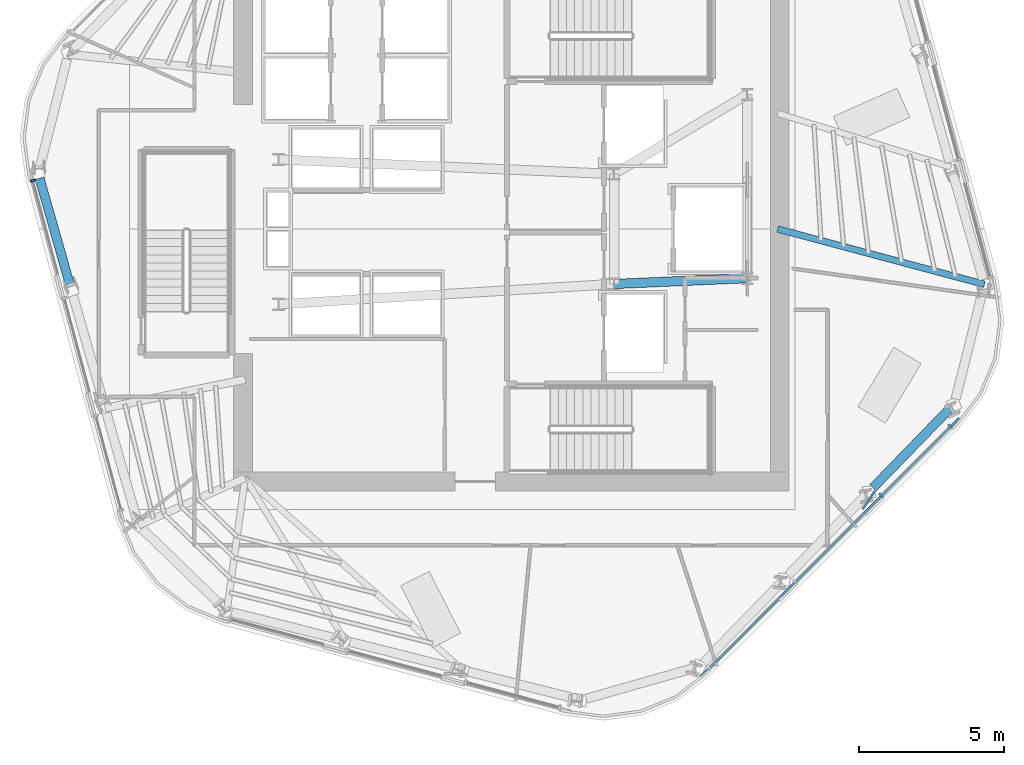
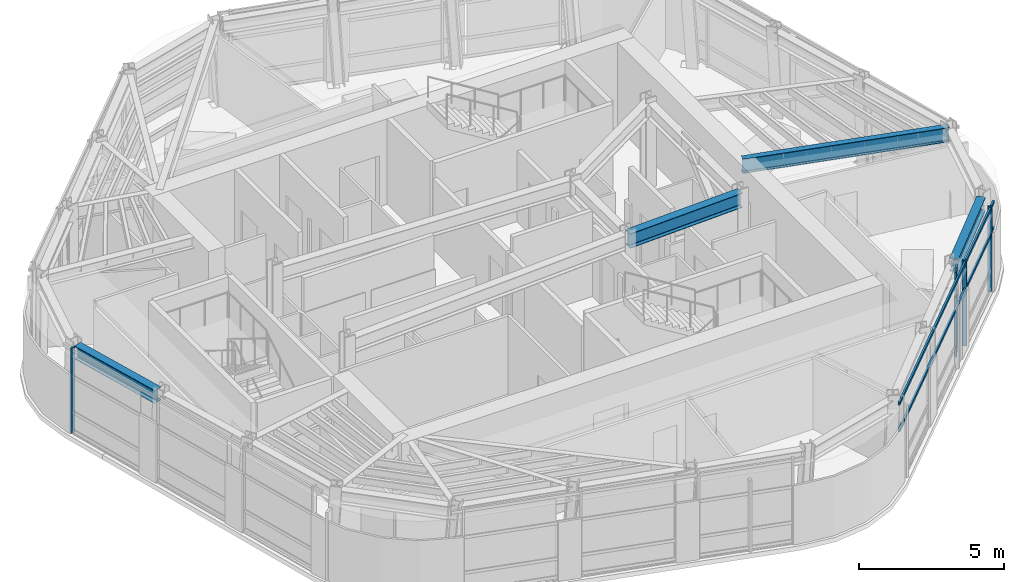
# One storey, part 3 of 13: 6 members, 4 beams, 2 elements without a shape of their own.
"""IFC4 building model written with IfcOpenShell, lengths in metres."""

from ifc_helpers import new_model, si_unit, direction, frame, origin, origin_2d, place, context, subcontext, project, spatial, rectangle, i_section, extrude, material, layer, layer_set, material_profile, profile_set, type_object, element, aggregate, save


model = new_model("IFC4")

# Units and contexts
model_context = context("Model", 3, precision=1e-05, world=origin(), true_north=direction((0.0, 1.0)))
body_context = subcontext(model_context, "Body", "Model", "MODEL_VIEW")
ifc_project = project(units=[si_unit("LENGTHUNIT", "METRE"), si_unit("AREAUNIT", "SQUARE_METRE"), si_unit("VOLUMEUNIT", "CUBIC_METRE"), si_unit("PLANEANGLEUNIT", "RADIAN"), si_unit("MASSUNIT", "GRAM", prefix="KILO")], contexts=[model_context])

# Site, building, storey
site_placement = place(None, origin())
site = spatial("IfcSite", under=ifc_project, at=site_placement, CompositionType="ELEMENT")
building_placement = place(site_placement, origin())
building = spatial("IfcBuilding", under=site, at=building_placement, Name="Valkerne Bourse Tower", CompositionType="ELEMENT")
storey_placement = place(building_placement, frame((0.0, 0.0, 217.0)))
storey = spatial("IfcBuildingStorey", under=building, at=storey_placement, Name="L55", CompositionType="ELEMENT", Elevation=217.0)

# Beams
ifc_material_1 = material(Name="Steel ASTM A992", Category="steel")
ifc_material_profile_1 = material_profile(ifc_material_1, i_section(OverallWidth=0.31494140625, OverallDepth=0.5537109375, WebThickness=0.0166015625, FlangeThickness=0.026123046875, FilletRadius=0.020263671875, at=origin_2d()), Name="W21X132")
ifc_profile_set_1 = profile_set([ifc_material_profile_1], Name="Steel ASTM A992")
beam_type_1 = type_object("IfcBeamType", Name="BM-W21X132", PredefinedType="BEAM", material=ifc_profile_set_1)
for number, where, z_axis, x_axis, name in (
    (1, (30.49853515625, 28.748779296875, 3.322998046875), (0.273921512196, -0.961752049728, 0.0), (0.961752049728, 0.273921512196, 0.0), "L55 Hexagonal Spandrel Ring Beam 08"),
    (2, (59.298583984375, 18.0576171875, 3.322998046875), (0.695953777044, 0.718086582675, 0.0), (-0.718086582675, 0.695953777044, 0.0), "L55 Hexagonal Spandrel Ring Beam 18"),
):
    element("IfcBeam", number, at=place(storey_placement, frame(where, z_axis=z_axis, x_axis=x_axis)), inside=storey, type_object=beam_type_1, Name=name, PredefinedType="BEAM", context=body_context, shape_type="SweptSolid", body=[
        extrude(i_section(OverallWidth=0.31494140625, OverallDepth=0.5537109375, WebThickness=0.0166015625, FlangeThickness=0.026123046875, FilletRadius=0.020263671875, at=origin_2d()), origin(), (0.0, 0.0, 1.0), 3.871826171875),
    ])
ifc_material_profile_2 = material_profile(ifc_material_1, i_section(OverallWidth=0.3251953125, OverallDepth=0.612060546875, WebThickness=0.0126953125, FlangeThickness=0.01904296875, FilletRadius=0.020263671875, at=origin_2d()), Name="W24X104")
ifc_profile_set_2 = profile_set([ifc_material_profile_2], Name="Steel ASTM A992")
beam_type_2 = type_object("IfcBeamType", Name="BM-W24X104", PredefinedType="BEAM", material=ifc_profile_set_2)
beam_1_placement = place(storey_placement, frame((50.35009765625, 25.10009765625, 3.2939453125), z_axis=(0.999056558506, 0.043428019819, 0.0), x_axis=(-0.043428019819, 0.999056558506, 0.0)))
element("IfcBeam", 3, at=beam_1_placement, inside=storey, type_object=beam_type_2, Name="L55 Core Frame Girder CG-SE", PredefinedType="BEAM", context=body_context, shape_type="SweptSolid", body=[
    extrude(i_section(OverallWidth=0.3251953125, OverallDepth=0.612060546875, WebThickness=0.0126953125, FlangeThickness=0.01904296875, FilletRadius=0.020263671875, at=origin_2d()), origin(), (0.0, 0.0, 1.0), 4.604248046875),
])
ifc_material_profile_3 = material_profile(ifc_material_1, i_section(OverallWidth=0.228271484375, OverallDepth=0.607177734375, WebThickness=0.01123046875, FlangeThickness=0.017333984375, FilletRadius=0.017822265625, at=origin_2d()), Name="W24X76")
ifc_profile_set_3 = profile_set([ifc_material_profile_3], Name="Steel ASTM A992")
beam_type_3 = type_object("IfcBeamType", Name="BM-W24X76", PredefinedType="JOIST", material=ifc_profile_set_3)
beam_2_placement = place(storey_placement, frame((63.148193359375, 25.087646484375, 3.29638671875), z_axis=(-0.966027079735, 0.258440865998, 0.0), x_axis=(-0.258440865998, -0.966027079735, 0.0)))
element("IfcBeam", 4, at=beam_2_placement, inside=storey, type_object=beam_type_3, Name="L55 Radial Composite Floor Beam 20", PredefinedType="JOIST", context=body_context, shape_type="SweptSolid", body=[
    extrude(i_section(OverallWidth=0.228271484375, OverallDepth=0.607177734375, WebThickness=0.01123046875, FlangeThickness=0.017333984375, FilletRadius=0.017822265625, at=origin_2d()), origin(), (0.0, 0.0, 1.0), 7.399658203125),
])

# Curtain wall, member
ifc_material_2 = material(Name="Aluminium AA 6063-T6", Category="aluminium")
ifc_layer = layer(ifc_material_2, 0.239990234375)
ifc_layer_set = layer_set([ifc_layer], Name="Aluminium AA 6063-T6")
curtain_wall_type = type_object("IfcCurtainWallType", Name="CW-04", PredefinedType="NOTDEFINED", material=ifc_layer_set)
curtain_wall_1_placement = place(storey_placement, origin())
curtain_wall_1 = element("IfcCurtainWall", 5, at=curtain_wall_1_placement, inside=storey, type_object=curtain_wall_type, Name="L55 Hexagonal Stick Curtain Wall Face 3", PredefinedType="NOTDEFINED")
ifc_material_profile_4 = material_profile(ifc_material_2, rectangle(XDim=0.074951171875, YDim=0.159912109375, at=origin_2d()), Name="CWM-75X160")
ifc_profile_set_4 = profile_set([ifc_material_profile_4], Name="Aluminium AA 6063-T6")
member_type_1 = type_object("IfcMemberType", Name="CW-MUL-160X75", PredefinedType="MULLION", material=ifc_profile_set_4)
member_1_placement = place(storey_placement, frame((30.26416015625, 28.67529296875, 0.0), z_axis=(0.0, 0.0, 1.0), x_axis=(0.258829835037, -0.96592293507, 0.0)))
member_1 = element("IfcMember", 6, at=member_1_placement, type_object=member_type_1, Name="CW-L55-F3 Jamb Mullion 00A", PredefinedType="MULLION", context=body_context, shape_type="SweptSolid", body=[
    extrude(rectangle(XDim=0.074951171875, YDim=0.159912109375, at=origin_2d()), origin(), (0.0, 0.0, 1.0), 3.60009765625),
])
aggregate(curtain_wall_1, [member_1])

# Curtain wall, members
curtain_wall_2_placement = place(storey_placement, origin())
curtain_wall_2 = element("IfcCurtainWall", 7, at=curtain_wall_2_placement, inside=storey, type_object=curtain_wall_type, Name="L55 Hexagonal Stick Curtain Wall Face 5", PredefinedType="NOTDEFINED")
member_2_placement = place(storey_placement, frame((59.57373046875, 17.798583984375, 0.0), z_axis=(0.0, 0.0, 1.0), x_axis=(0.707094910308, 0.707118651865, 0.0)))
member_2 = element("IfcMember", 8, at=member_2_placement, type_object=member_type_1, Name="CW-L55-F5 Jamb Mullion 02A", PredefinedType="MULLION", context=body_context, shape_type="SweptSolid", body=[
    extrude(rectangle(XDim=0.074951171875, YDim=0.159912109375, at=origin_2d()), origin(), (0.0, 0.0, 1.0), 3.60009765625),
])
member_3_placement = place(storey_placement, frame((61.9580078125, 20.18310546875, 0.0), z_axis=(0.0, 0.0, 1.0), x_axis=(0.707094910308, 0.707118651865, 0.0)))
member_3 = element("IfcMember", 9, at=member_3_placement, type_object=member_type_1, Name="CW-L55-F5 Jamb Mullion 02B", PredefinedType="MULLION", context=body_context, shape_type="SweptSolid", body=[
    extrude(rectangle(XDim=0.074951171875, YDim=0.159912109375, at=origin_2d()), origin(), (0.0, 0.0, 1.0), 3.60009765625),
])
ifc_material_profile_5 = material_profile(ifc_material_2, rectangle(XDim=0.074951171875, YDim=0.1201171875, at=origin_2d()), Name="CWT-75X120")
ifc_profile_set_5 = profile_set([ifc_material_profile_5], Name="Aluminium AA 6063-T6")
member_type_2 = type_object("IfcMemberType", Name="CW-TRN-120X75", PredefinedType="USERDEFINED", material=ifc_profile_set_5)
member_4_placement = place(storey_placement, frame((53.334228515625, 11.53076171875, 2.39990234375), z_axis=(0.707106781187, 0.707106781187, 0.0), x_axis=(-0.707106781187, 0.707106781187, 0.0)))
member_4 = element("IfcMember", 10, at=member_4_placement, type_object=member_type_2, Name="CW-L55-F5 Continuous Face Transom 3", ObjectType="TRANSOM", PredefinedType="USERDEFINED", context=body_context, shape_type="SweptSolid", body=[
    extrude(rectangle(XDim=0.074951171875, YDim=0.1201171875, at=origin_2d()), origin(), (0.0, 0.0, 1.0), 12.635986328125),
])
member_5_placement = place(storey_placement, frame((53.334228515625, 11.53076171875, 3.52001953125), z_axis=(0.707106781187, 0.707106781187, 0.0), x_axis=(-0.707106781187, 0.707106781187, 0.0)))
member_5 = element("IfcMember", 11, at=member_5_placement, type_object=member_type_2, Name="CW-L55-F5 Continuous Face Transom 4", ObjectType="TRANSOM", PredefinedType="USERDEFINED", context=body_context, shape_type="SweptSolid", body=[
    extrude(rectangle(XDim=0.074951171875, YDim=0.1201171875, at=origin_2d()), origin(), (0.0, 0.0, 1.0), 12.635986328125),
])
aggregate(curtain_wall_2, [member_4, member_5, member_2, member_3])

# Member
ifc_material_3 = material(Name="Bronze Anodised Aluminium AA 6063-T6", Category="aluminium")
ifc_material_profile_6 = material_profile(ifc_material_3, rectangle(XDim=0.06494140625, YDim=0.75, at=origin_2d()), Name="FIN-65X750")
ifc_profile_set_6 = profile_set([ifc_material_profile_6], Name="Bronze Anodised Aluminium AA 6063-T6")
member_type_3 = type_object("IfcMemberType", Name="FIN-SOLAR-650", PredefinedType="USERDEFINED", material=ifc_profile_set_6)
member_6_placement = place(storey_placement, frame((59.1494140625, 17.62890625, 0.00390625), z_axis=(0.0, 0.0, 1.0), x_axis=(0.830087871197, -0.557632608526, 0.0)))
element("IfcMember", 12, at=member_6_placement, inside=storey, type_object=member_type_3, Name="L55 Bronze Anodised Solar Fin F5-02", ObjectType="SOLAR_FIN", PredefinedType="USERDEFINED", context=body_context, shape_type="SweptSolid", body=[
    extrude(rectangle(XDim=0.06494140625, YDim=0.75, at=origin_2d()), origin(), (0.0, 0.0, 1.0), 3.592041015625),
])

save(model, "model.ifc")
